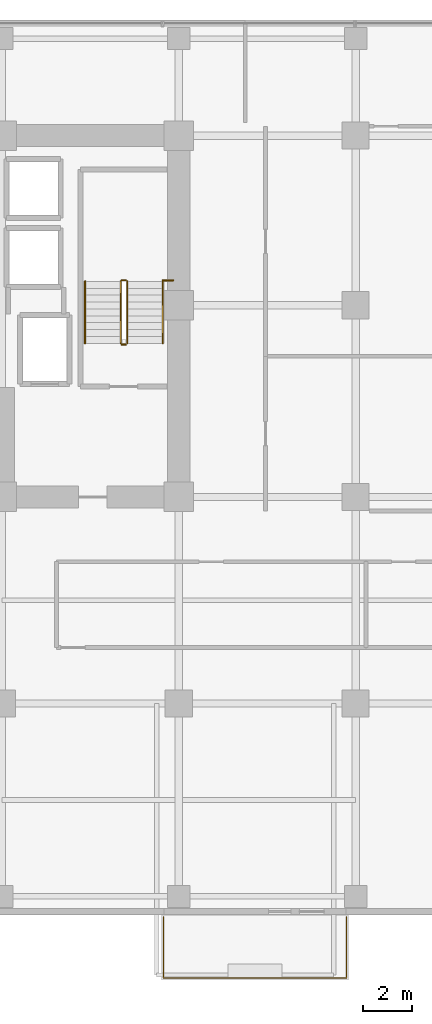
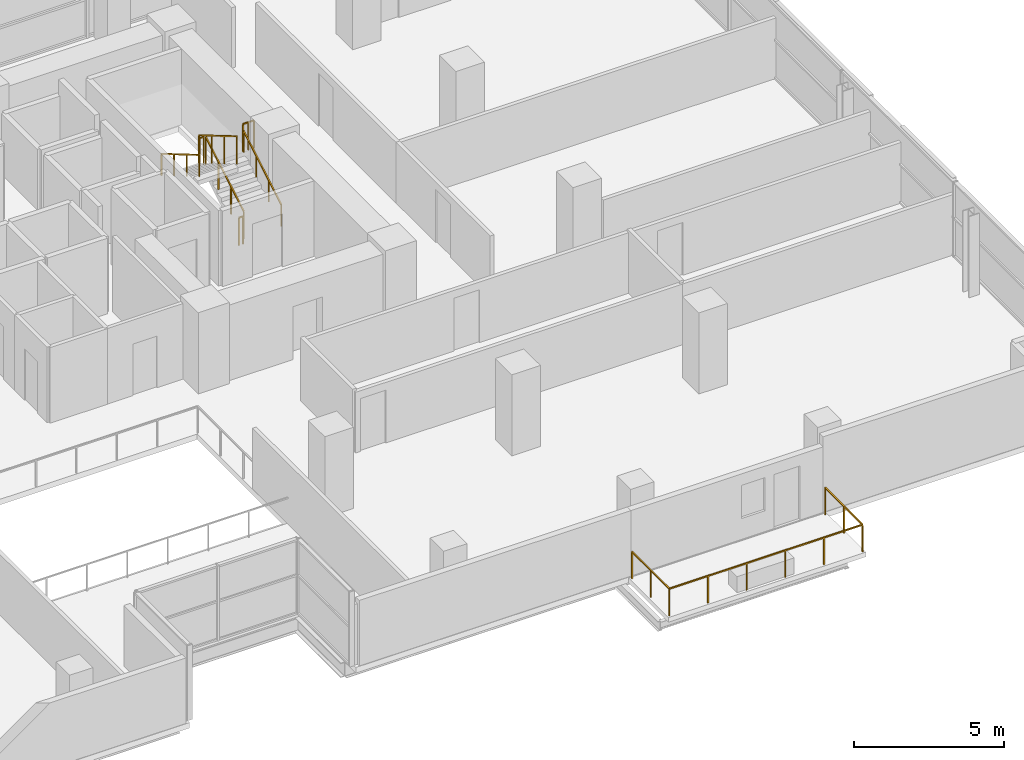
# One storey, part 30 of 31: 8 railings.
"""IFC4 building model written with IfcOpenShell, lengths in metres."""

from ifc_helpers import new_model, si_unit, direction, frame, origin, origin_2d, place, context, subcontext, project, spatial, rectangle, extrude, material, type_object, element, save


model = new_model("IFC4")

# Units and contexts
model_context = context("Model", 3, precision=1e-05, world=origin(), true_north=direction((0.0, 1.0)))
body_context = subcontext(model_context, "Body", "Model", "MODEL_VIEW")
ifc_project = project(units=[si_unit("LENGTHUNIT", "METRE"), si_unit("AREAUNIT", "SQUARE_METRE"), si_unit("VOLUMEUNIT", "CUBIC_METRE"), si_unit("PLANEANGLEUNIT", "RADIAN"), si_unit("MASSUNIT", "GRAM", prefix="KILO")], contexts=[model_context])

# Site, building, storey
site_placement = place(None, origin())
site = spatial("IfcSite", under=ifc_project, at=site_placement, CompositionType="ELEMENT")
building_placement = place(site_placement, origin())
building = spatial("IfcBuilding", under=site, at=building_placement, Name="Zarnakvel Exchange Tower", CompositionType="ELEMENT")
storey_placement = place(building_placement, frame((0.0, 0.0, 67.0)))
storey = spatial("IfcBuildingStorey", under=building, at=storey_placement, Name="L18", CompositionType="ELEMENT", Elevation=67.0)

# Railings
ifc_material_1 = material(Name="Architectural Bronze Anodised Aluminium", Category="aluminium")
railing_type_1 = type_object("IfcRailingType", Name="GR-02", PredefinedType="GUARDRAIL", material=ifc_material_1)
railing_1_placement = place(storey_placement, frame((13.780029296875, -18.280029296875, -0.034912109375)))
element("IfcRailing", 1, at=railing_1_placement, inside=storey, type_object=railing_type_1, Name="L18 Balcony Guardrail BAL-L18-SE", PredefinedType="GUARDRAIL", context=body_context, shape_type="SweptSolid", body=[
    extrude(rectangle(XDim=0.048095703125, YDim=0.048095703125, at=origin_2d()), frame((0.0, 0.0, 1.09619140625), z_axis=(0.0, -1.0, 0.0), x_axis=(1.0, 0.0, 0.0)), (0.0, 0.0, 1.0), 2.489990234375),
    extrude(rectangle(XDim=0.048095703125, YDim=0.048095703125, at=origin_2d()), frame((0.0, -2.489990234375, 1.09619140625), z_axis=(1.0, 0.0, 0.0), x_axis=(0.0, 1.0, 0.0)), (0.0, 0.0, 1.0), 7.43994140625),
    extrude(rectangle(XDim=0.048095703125, YDim=0.048095703125, at=origin_2d()), frame((7.43994140625, -2.489990234375, 1.09619140625), z_axis=(0.0, 1.0, 0.0), x_axis=(-1.0, 0.0, 0.0)), (0.0, 0.0, 1.0), 2.489990234375),
    extrude(rectangle(XDim=0.0419921875, YDim=0.0419921875, at=origin_2d()), origin(), (0.0, 0.0, 1.0), 1.072021484375),
    extrude(rectangle(XDim=0.0419921875, YDim=0.0419921875, at=origin_2d()), frame((0.0, -1.2451171875, 0.0)), (0.0, 0.0, 1.0), 1.072021484375),
    extrude(rectangle(XDim=0.0419921875, YDim=0.0419921875, at=origin_2d()), frame((0.0, -2.489990234375, 0.0)), (0.0, 0.0, 1.0), 1.072021484375),
    extrude(rectangle(XDim=0.0419921875, YDim=0.0419921875, at=origin_2d()), frame((1.488037109375, -2.489990234375, 0.0)), (0.0, 0.0, 1.0), 1.072021484375),
    extrude(rectangle(XDim=0.0419921875, YDim=0.0419921875, at=origin_2d()), frame((2.97607421875, -2.489990234375, 0.0)), (0.0, 0.0, 1.0), 1.072021484375),
    extrude(rectangle(XDim=0.0419921875, YDim=0.0419921875, at=origin_2d()), frame((4.4638671875, -2.489990234375, 0.0)), (0.0, 0.0, 1.0), 1.072021484375),
    extrude(rectangle(XDim=0.0419921875, YDim=0.0419921875, at=origin_2d()), frame((5.951904296875, -2.489990234375, 0.0)), (0.0, 0.0, 1.0), 1.072021484375),
    extrude(rectangle(XDim=0.0419921875, YDim=0.0419921875, at=origin_2d()), frame((7.43994140625, -2.489990234375, 0.0)), (0.0, 0.0, 1.0), 1.072021484375),
    extrude(rectangle(XDim=0.0419921875, YDim=0.0419921875, at=origin_2d()), frame((7.43994140625, -1.2451171875, 0.0)), (0.0, 0.0, 1.0), 1.072021484375),
    extrude(rectangle(XDim=0.0419921875, YDim=0.0419921875, at=origin_2d()), frame((7.43994140625, 0.0, 0.0)), (0.0, 0.0, 1.0), 1.072021484375),
])
ifc_material_2 = material(Name="Brushed Stainless Steel", Category="steel")
railing_type_2 = type_object("IfcRailingType", Name="HR-01", PredefinedType="HANDRAIL", material=ifc_material_2)
railing_2_placement = place(storey_placement, frame((13.75, 5.050048828125, 0.1650390625)))
element("IfcRailing", 2, at=railing_2_placement, inside=storey, type_object=railing_type_2, Name="L18 ST-02 stair handrail 1", PredefinedType="HANDRAIL", context=body_context, shape_type="SweptSolid", body=[
    extrude(rectangle(XDim=0.048095703125, YDim=0.048095703125, at=origin_2d()), frame((0.0, 0.0, 0.8759765625), z_axis=(0.0, 0.861560626758, 0.507654692109), x_axis=(-1.0, 0.0, 0.0)), (0.0, 0.0, 1.0), 2.925048828125),
    extrude(rectangle(XDim=0.0419921875, YDim=0.0419921875, at=origin_2d()), origin(), (0.0, 0.0, 1.0), 0.851806640625),
    extrude(rectangle(XDim=0.0419921875, YDim=0.0419921875, at=origin_2d()), frame((0.0, 0.840087890625, 0.494873046875)), (0.0, 0.0, 1.0), 0.851806640625),
    extrude(rectangle(XDim=0.0419921875, YDim=0.0419921875, at=origin_2d()), frame((0.0, 1.679931640625, 0.989990234375)), (0.0, 0.0, 1.0), 0.851806640625),
    extrude(rectangle(XDim=0.0419921875, YDim=0.0419921875, at=origin_2d()), frame((0.0, 2.52001953125, 1.48486328125)), (0.0, 0.0, 1.0), 0.851806640625),
])
railing_3_placement = place(storey_placement, frame((10.590087890625, 7.570068359375, 1.81494140625)))
element("IfcRailing", 3, at=railing_3_placement, inside=storey, type_object=railing_type_2, Name="L18 ST-02 stair handrail 2", PredefinedType="HANDRAIL", context=body_context, shape_type="SweptSolid", body=[
    extrude(rectangle(XDim=0.048095703125, YDim=0.048095703125, at=origin_2d()), frame((0.0, 0.0, 0.8759765625), z_axis=(0.0, -0.86152411907, 0.507716645641), x_axis=(1.0, 0.0, 0.0)), (0.0, 0.0, 1.0), 2.925048828125),
    extrude(rectangle(XDim=0.0419921875, YDim=0.0419921875, at=origin_2d()), origin(), (0.0, 0.0, 1.0), 0.851806640625),
    extrude(rectangle(XDim=0.0419921875, YDim=0.0419921875, at=origin_2d()), frame((0.0, -0.840087890625, 0.4951171875)), (0.0, 0.0, 1.0), 0.851806640625),
    extrude(rectangle(XDim=0.0419921875, YDim=0.0419921875, at=origin_2d()), frame((0.0, -1.679931640625, 0.989990234375)), (0.0, 0.0, 1.0), 0.851806640625),
    extrude(rectangle(XDim=0.0419921875, YDim=0.0419921875, at=origin_2d()), frame((0.0, -2.52001953125, 1.485107421875)), (0.0, 0.0, 1.0), 0.851806640625),
])
railing_type_3 = type_object("IfcRailingType", Name="SG-01", PredefinedType="GUARDRAIL", material=ifc_material_1)
railing_4_placement = place(storey_placement, frame((12.300048828125, 5.050048828125, 0.1650390625)))
element("IfcRailing", 4, at=railing_4_placement, inside=storey, type_object=railing_type_3, Name="L18 ST-02 stair guard 1", PredefinedType="GUARDRAIL", context=body_context, shape_type="SweptSolid", body=[
    extrude(rectangle(XDim=0.048095703125, YDim=0.048095703125, at=origin_2d()), frame((0.0, 0.0, 1.1259765625), z_axis=(0.0, 0.861560626758, 0.507654692109), x_axis=(-1.0, 0.0, 0.0)), (0.0, 0.0, 1.0), 2.925048828125),
    extrude(rectangle(XDim=0.0419921875, YDim=0.0419921875, at=origin_2d()), origin(), (0.0, 0.0, 1.0), 1.101806640625),
    extrude(rectangle(XDim=0.0419921875, YDim=0.0419921875, at=origin_2d()), frame((0.0, 0.840087890625, 0.494873046875)), (0.0, 0.0, 1.0), 1.101806640625),
    extrude(rectangle(XDim=0.0419921875, YDim=0.0419921875, at=origin_2d()), frame((0.0, 1.679931640625, 0.989990234375)), (0.0, 0.0, 1.0), 1.101806640625),
    extrude(rectangle(XDim=0.0419921875, YDim=0.0419921875, at=origin_2d()), frame((0.0, 2.52001953125, 1.48486328125)), (0.0, 0.0, 1.0), 1.101806640625),
])
railing_5_placement = place(storey_placement, frame((12.25, 7.6201171875, 1.64990234375)))
element("IfcRailing", 5, at=railing_5_placement, inside=storey, type_object=railing_type_3, Name="L18 ST-02 stair guard 2", PredefinedType="GUARDRAIL", context=body_context, shape_type="SweptSolid", body=[
    extrude(rectangle(XDim=0.048095703125, YDim=0.048095703125, at=origin_2d()), frame((0.0, 0.0, 1.1259765625), z_axis=(-1.0, 0.0, 0.0), x_axis=(0.0, -1.0, 0.0)), (0.0, 0.0, 1.0), 0.159912109375),
    extrude(rectangle(XDim=0.0419921875, YDim=0.0419921875, at=origin_2d()), origin(), (0.0, 0.0, 1.0), 1.101806640625),
    extrude(rectangle(XDim=0.0419921875, YDim=0.0419921875, at=origin_2d()), frame((-0.159912109375, 0.0, 0.0)), (0.0, 0.0, 1.0), 1.101806640625),
])
railing_6_placement = place(storey_placement, frame((12.0400390625, 7.570068359375, 1.81494140625)))
element("IfcRailing", 6, at=railing_6_placement, inside=storey, type_object=railing_type_3, Name="L18 ST-02 stair guard 3", PredefinedType="GUARDRAIL", context=body_context, shape_type="SweptSolid", body=[
    extrude(rectangle(XDim=0.048095703125, YDim=0.048095703125, at=origin_2d()), frame((0.0, 0.0, 1.1259765625), z_axis=(0.0, -0.86152411907, 0.507716645641), x_axis=(1.0, 0.0, 0.0)), (0.0, 0.0, 1.0), 2.925048828125),
    extrude(rectangle(XDim=0.0419921875, YDim=0.0419921875, at=origin_2d()), origin(), (0.0, 0.0, 1.0), 1.101806640625),
    extrude(rectangle(XDim=0.0419921875, YDim=0.0419921875, at=origin_2d()), frame((0.0, -0.840087890625, 0.4951171875)), (0.0, 0.0, 1.0), 1.101806640625),
    extrude(rectangle(XDim=0.0419921875, YDim=0.0419921875, at=origin_2d()), frame((0.0, -1.679931640625, 0.989990234375)), (0.0, 0.0, 1.0), 1.101806640625),
    extrude(rectangle(XDim=0.0419921875, YDim=0.0419921875, at=origin_2d()), frame((0.0, -2.52001953125, 1.485107421875)), (0.0, 0.0, 1.0), 1.101806640625),
])
railing_7_placement = place(storey_placement, frame((12.25, 5.0, 0.0)))
element("IfcRailing", 7, at=railing_7_placement, inside=storey, type_object=railing_type_3, Name="L18 ST-02 stair guard 4", PredefinedType="GUARDRAIL", context=body_context, shape_type="SweptSolid", body=[
    extrude(rectangle(XDim=0.048095703125, YDim=0.048095703125, at=origin_2d()), frame((0.0, 0.0, 1.1259765625), z_axis=(-1.0, 0.0, 0.0), x_axis=(0.0, -1.0, 0.0)), (0.0, 0.0, 1.0), 0.159912109375),
    extrude(rectangle(XDim=0.0419921875, YDim=0.0419921875, at=origin_2d()), origin(), (0.0, 0.0, 1.0), 1.101806640625),
    extrude(rectangle(XDim=0.0419921875, YDim=0.0419921875, at=origin_2d()), frame((-0.159912109375, 0.0, 0.0)), (0.0, 0.0, 1.0), 1.101806640625),
])
railing_8_placement = place(storey_placement, frame((13.75, 7.610107421875, 1.64990234375)))
element("IfcRailing", 8, at=railing_8_placement, inside=storey, type_object=railing_type_3, Name="L18 ST-02 Landing Slot Guardrail", PredefinedType="GUARDRAIL", context=body_context, shape_type="SweptSolid", body=[
    extrude(rectangle(XDim=0.048095703125, YDim=0.048095703125, at=origin_2d()), frame((0.0, 0.0, 1.1259765625), z_axis=(1.0, 0.0, 0.0), x_axis=(0.0, 1.0, 0.0)), (0.0, 0.0, 1.0), 0.429931640625),
    extrude(rectangle(XDim=0.0419921875, YDim=0.0419921875, at=origin_2d()), origin(), (0.0, 0.0, 1.0), 1.101806640625),
    extrude(rectangle(XDim=0.0419921875, YDim=0.0419921875, at=origin_2d()), frame((0.21484375, 0.0, 0.0)), (0.0, 0.0, 1.0), 1.101806640625),
    extrude(rectangle(XDim=0.0419921875, YDim=0.0419921875, at=origin_2d()), frame((0.429931640625, 0.0, 0.0)), (0.0, 0.0, 1.0), 1.101806640625),
])

save(model, "model.ifc")
